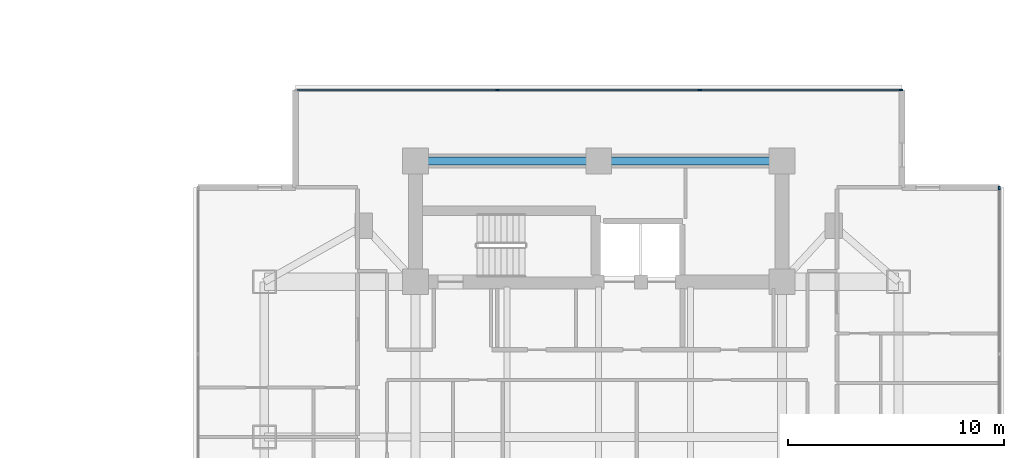
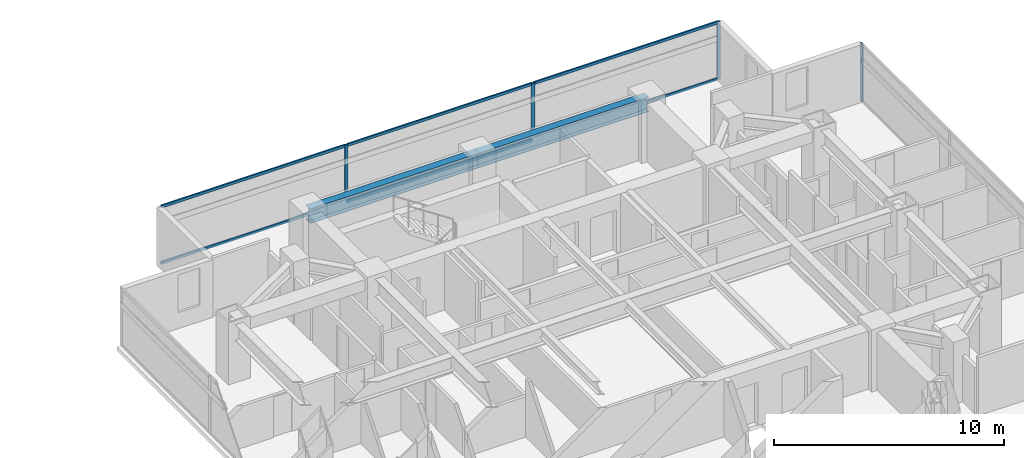
# One storey, part 11 of 26: 10 members, 2 beams, 2 elements without a shape of their own.
"""IFC4 building model written with IfcOpenShell, lengths in metres."""

from ifc_helpers import new_model, si_unit, direction, frame, origin, origin_2d, place, context, subcontext, project, spatial, rectangle, i_section, extrude, material, material_profile, profile_set, type_object, element, aggregate, save


model = new_model("IFC4")

# Units and contexts
model_context = context("Model", 3, precision=1e-05, world=origin(), true_north=direction((0.0, 1.0)))
body_context = subcontext(model_context, "Body", "Model", "MODEL_VIEW")
ifc_project = project(units=[si_unit("LENGTHUNIT", "METRE"), si_unit("AREAUNIT", "SQUARE_METRE"), si_unit("VOLUMEUNIT", "CUBIC_METRE"), si_unit("PLANEANGLEUNIT", "RADIAN"), si_unit("MASSUNIT", "GRAM", prefix="KILO")], contexts=[model_context])

# Site, building, storey
site_placement = place(None, origin())
site = spatial("IfcSite", under=ifc_project, at=site_placement, CompositionType="ELEMENT")
building_placement = place(site_placement, origin())
building = spatial("IfcBuilding", under=site, at=building_placement, Name="Mirazonda Arch Towers", CompositionType="ELEMENT")
storey_placement = place(building_placement, frame((0.0, 0.0, 108.199951171875)))
storey = spatial("IfcBuildingStorey", under=building, at=storey_placement, Name="L30", CompositionType="ELEMENT", Elevation=108.199951171875)

# Beams
ifc_material_1 = material(Name="Steel ASTM A992 Grade 50", Category="steel")
ifc_material_profile_1 = material_profile(ifc_material_1, i_section(OverallWidth=0.381103515625, OverallDepth=0.77294921875, WebThickness=0.0166015625, FlangeThickness=0.027099609375, at=origin_2d()), Name="W30X173")
ifc_profile_set_1 = profile_set([ifc_material_profile_1], Name="Steel ASTM A992 Grade 50")
beam_type = type_object("IfcBeamType", Name="BM-INT-W30X173", PredefinedType="USERDEFINED", material=ifc_profile_set_1)
for number, where, z_axis, x_axis, name in (
    (1, (68.0, 40.800048828125, 2.693603515625), (1.0, 0.0, 0.0), (0.0, 1.0, 0.0), "L30 Floor Beam BM-T2-L30-CN1"),
    (2, (76.5, 40.800048828125, 2.693603515625), (1.0, 0.0, 0.0), (0.0, 1.0, 0.0), "L30 Floor Beam BM-T2-L30-CN2"),
):
    element("IfcBeam", number, at=place(storey_placement, frame(where, z_axis=z_axis, x_axis=x_axis)), inside=storey, type_object=beam_type, Name=name, ObjectType="GIRDER", PredefinedType="USERDEFINED", context=body_context, shape_type="SweptSolid", body=[
        extrude(i_section(OverallWidth=0.381103515625, OverallDepth=0.77294921875, WebThickness=0.0166015625, FlangeThickness=0.027099609375, at=origin_2d()), origin(), (0.0, 0.0, 1.0), 8.5),
    ])

# Curtain wall, member
ifc_material_2 = material(Name="Anodised Aluminium and Low-E Glass", Category="aluminium")
curtain_wall_type = type_object("IfcCurtainWallType", Name="CW-HTL-UNIT", PredefinedType="NOTDEFINED", material=ifc_material_2)
curtain_wall_1_placement = place(storey_placement, origin())
curtain_wall_1 = element("IfcCurtainWall", 3, at=curtain_wall_1_placement, inside=storey, type_object=curtain_wall_type, Name="L30 T2 E Facade CW-L30-T2-E", PredefinedType="NOTDEFINED")
ifc_material_3 = material(Name="Anodised Aluminium Alloy", Category="aluminium")
ifc_material_profile_2 = material_profile(ifc_material_3, rectangle(XDim=0.074951171875, YDim=0.1650390625, at=origin_2d()), Name="ALU-MULL-75x165")
ifc_profile_set_2 = profile_set([ifc_material_profile_2], Name="Anodised Aluminium Alloy")
member_type_1 = type_object("IfcMemberType", Name="MULL-CW-HTL-UNIT", PredefinedType="MULLION", material=ifc_profile_set_2)
member_1_placement = place(storey_placement, frame((95.070556640625, 39.54345703125, 0.0), z_axis=(0.0, 0.0, 1.0), x_axis=(-1.0, 0.0, 0.0)))
member_1 = element("IfcMember", 4, at=member_1_placement, type_object=member_type_1, Name="CW-112 mullion 4", PredefinedType="MULLION", context=body_context, shape_type="SweptSolid", body=[
    extrude(rectangle(XDim=0.074951171875, YDim=0.1650390625, at=origin_2d()), origin(), (0.0, 0.0, 1.0), 3.06005859375),
])
aggregate(curtain_wall_1, [member_1])

# Curtain wall, members
curtain_wall_2_placement = place(storey_placement, origin())
curtain_wall_2 = element("IfcCurtainWall", 5, at=curtain_wall_2_placement, inside=storey, type_object=curtain_wall_type, Name="L30 T2 N Facade CW-L30-T2-N", PredefinedType="NOTDEFINED")
member_2_placement = place(storey_placement, frame((71.815185546875, 44.097412109375, 0.0), z_axis=(0.0, 0.0, 1.0), x_axis=(0.0, 1.0, 0.0)))
member_2 = element("IfcMember", 6, at=member_2_placement, type_object=member_type_1, Name="CW-112 mullion 2", PredefinedType="MULLION", context=body_context, shape_type="SweptSolid", body=[
    extrude(rectangle(XDim=0.074951171875, YDim=0.1650390625, at=origin_2d()), origin(), (0.0, 0.0, 1.0), 3.06005859375),
])
member_3_placement = place(storey_placement, frame((81.184814453125, 44.097412109375, 0.0), z_axis=(0.0, 0.0, 1.0), x_axis=(0.0, 1.0, 0.0)))
member_3 = element("IfcMember", 7, at=member_3_placement, type_object=member_type_1, Name="CW-112 mullion 3", PredefinedType="MULLION", context=body_context, shape_type="SweptSolid", body=[
    extrude(rectangle(XDim=0.074951171875, YDim=0.1650390625, at=origin_2d()), origin(), (0.0, 0.0, 1.0), 3.06005859375),
])
member_4_placement = place(storey_placement, frame((90.5166015625, 44.097412109375, 0.0), z_axis=(0.0, 0.0, 1.0), x_axis=(0.0, 1.0, 0.0)))
member_4 = element("IfcMember", 8, at=member_4_placement, type_object=member_type_1, Name="CW-112 mullion 4", PredefinedType="MULLION", context=body_context, shape_type="SweptSolid", body=[
    extrude(rectangle(XDim=0.074951171875, YDim=0.1650390625, at=origin_2d()), origin(), (0.0, 0.0, 1.0), 3.06005859375),
])
ifc_material_profile_3 = material_profile(ifc_material_3, rectangle(XDim=0.074951171875, YDim=0.14501953125, at=origin_2d()), Name="ALU-TRAN-75x145")
ifc_profile_set_3 = profile_set([ifc_material_profile_3], Name="Anodised Aluminium Alloy")
member_type_2 = type_object("IfcMemberType", Name="TRAN-CW-HTL-UNIT", PredefinedType="USERDEFINED", material=ifc_profile_set_3)
member_5_placement = place(storey_placement, frame((62.520751953125, 44.097412109375, 0.03759765625), z_axis=(1.0, 0.0, 0.0), x_axis=(0.0, 1.0, 0.0)))
member_5 = element("IfcMember", 9, at=member_5_placement, type_object=member_type_2, Name="CW-112 transom 1.1", ObjectType="TRANSOM", PredefinedType="USERDEFINED", context=body_context, shape_type="SweptSolid", body=[
    extrude(rectangle(XDim=0.074951171875, YDim=0.14501953125, at=origin_2d()), origin(), (0.0, 0.0, 1.0), 9.257080078125),
])
member_6_placement = place(storey_placement, frame((62.520751953125, 44.097412109375, 3.0224609375), z_axis=(1.0, 0.0, 0.0), x_axis=(0.0, 1.0, 0.0)))
member_6 = element("IfcMember", 10, at=member_6_placement, type_object=member_type_2, Name="CW-112 transom 1.2", ObjectType="TRANSOM", PredefinedType="USERDEFINED", context=body_context, shape_type="SweptSolid", body=[
    extrude(rectangle(XDim=0.074951171875, YDim=0.14501953125, at=origin_2d()), origin(), (0.0, 0.0, 1.0), 9.257080078125),
])
member_7_placement = place(storey_placement, frame((71.852783203125, 44.097412109375, 0.03759765625), z_axis=(1.0, 0.0, 0.0), x_axis=(0.0, 1.0, 0.0)))
member_7 = element("IfcMember", 11, at=member_7_placement, type_object=member_type_2, Name="CW-112 transom 2.1", ObjectType="TRANSOM", PredefinedType="USERDEFINED", context=body_context, shape_type="SweptSolid", body=[
    extrude(rectangle(XDim=0.074951171875, YDim=0.14501953125, at=origin_2d()), origin(), (0.0, 0.0, 1.0), 9.29443359375),
])
member_8_placement = place(storey_placement, frame((71.852783203125, 44.097412109375, 3.0224609375), z_axis=(1.0, 0.0, 0.0), x_axis=(0.0, 1.0, 0.0)))
member_8 = element("IfcMember", 12, at=member_8_placement, type_object=member_type_2, Name="CW-112 transom 2.2", ObjectType="TRANSOM", PredefinedType="USERDEFINED", context=body_context, shape_type="SweptSolid", body=[
    extrude(rectangle(XDim=0.074951171875, YDim=0.14501953125, at=origin_2d()), origin(), (0.0, 0.0, 1.0), 9.29443359375),
])
member_9_placement = place(storey_placement, frame((81.22216796875, 44.097412109375, 0.03759765625), z_axis=(1.0, 0.0, 0.0), x_axis=(0.0, 1.0, 0.0)))
member_9 = element("IfcMember", 13, at=member_9_placement, type_object=member_type_2, Name="CW-112 transom 3.1", ObjectType="TRANSOM", PredefinedType="USERDEFINED", context=body_context, shape_type="SweptSolid", body=[
    extrude(rectangle(XDim=0.074951171875, YDim=0.14501953125, at=origin_2d()), origin(), (0.0, 0.0, 1.0), 9.257080078125),
])
member_10_placement = place(storey_placement, frame((81.22216796875, 44.097412109375, 3.0224609375), z_axis=(1.0, 0.0, 0.0), x_axis=(0.0, 1.0, 0.0)))
member_10 = element("IfcMember", 14, at=member_10_placement, type_object=member_type_2, Name="CW-112 transom 3.2", ObjectType="TRANSOM", PredefinedType="USERDEFINED", context=body_context, shape_type="SweptSolid", body=[
    extrude(rectangle(XDim=0.074951171875, YDim=0.14501953125, at=origin_2d()), origin(), (0.0, 0.0, 1.0), 9.257080078125),
])
aggregate(curtain_wall_2, [member_2, member_3, member_4, member_5, member_6, member_7, member_8, member_9, member_10])

save(model, "model.ifc")
